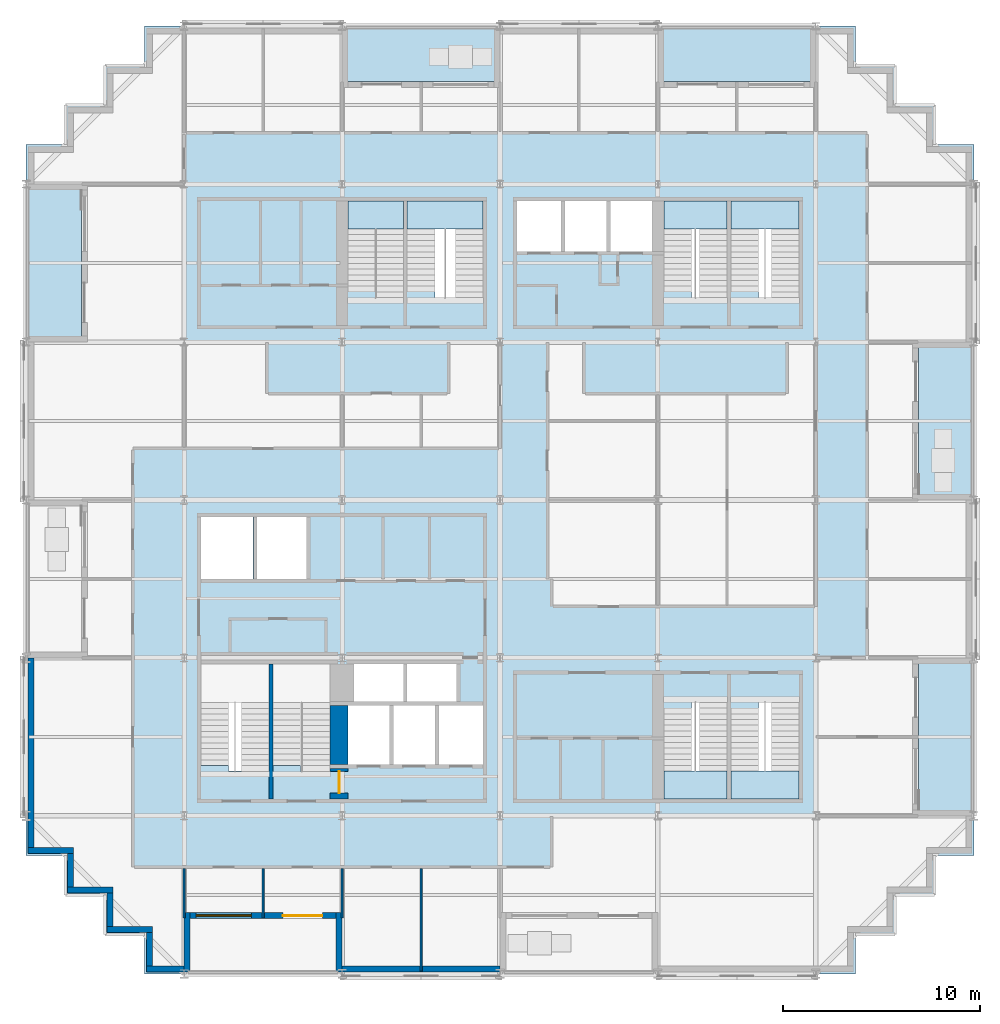
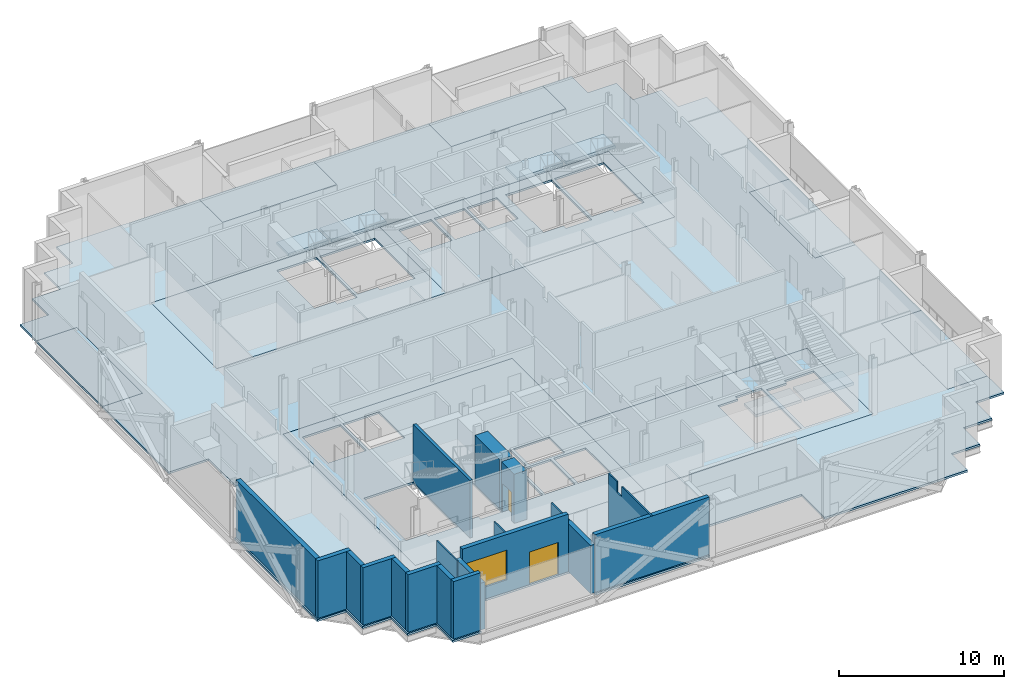
# One storey, part 5 of 15: 19 walls, 16 slabs, 2 doors, 1 window, 3 openings, 6 elements without a shape of their own.
"""IFC4 building model written with IfcOpenShell, lengths in metres."""

import ifcopenshell
import ifcopenshell.guid

model = None  # the IFC model being written
_history = None  # IfcOwnerHistory: only IFC2X3 demands one
_inside = {}  # id of a spatial element -> (the spatial element, [elements in it])
_under = {}  # id of a project, library or spatial element -> (it, [spatial elements below it])
_declared = {}  # id of a project -> (the project, [libraries it declares])
_typed = {}  # id of a type object -> (the type object, [elements of that type])
_made_of = {}  # id of a material, layer set ... -> (it, [elements and type objects made of it])


def new_model(schema):
    """Start an empty IFC model of exactly this schema.

    Asked for "IFC4X3", IfcOpenShell would pick the latest addendum, in which some entities
    have other attributes; the version numbers below select the first issue.
    IFC2X3 requires an IfcOwnerHistory on every rooted entity: one is made here for all.
    """
    global model, _history
    if schema == "IFC4X3":
        model = ifcopenshell.file(schema_version=(4, 3, 0, 0))
    else:
        model = ifcopenshell.file(schema=schema)
    _inside.clear()
    _under.clear()
    _declared.clear()
    _typed.clear()
    _made_of.clear()
    _history = None
    if model.schema == "IFC2X3":
        org = make("IfcOrganization", Name="unknown")
        user = make(
            "IfcPersonAndOrganization",
            ThePerson=make("IfcPerson", FamilyName="unknown"),
            TheOrganization=org,
        )
        app = make(
            "IfcApplication",
            ApplicationDeveloper=org,
            Version="unknown",
            ApplicationFullName="unknown",
            ApplicationIdentifier="unknown",
        )
        _history = make(
            "IfcOwnerHistory",
            OwningUser=user,
            OwningApplication=app,
            ChangeAction="ADDED",
            CreationDate=0,
        )
    return model


def make(cls, **values):
    """One entity of the class cls with the attributes given. An attribute that is None is left unset."""
    return model.create_entity(
        cls, **{name: value for name, value in values.items() if value is not None}
    )


def rooted(cls, **values):
    """An entity with a GlobalId (a new one), such as an element, a storey or a relation."""
    return make(cls, GlobalId=ifcopenshell.guid.new(), OwnerHistory=_history, **values)


def si_unit(unit_type, name, prefix=None):
    """IfcSIUnit, for example si_unit("LENGTHUNIT", "METRE", prefix="MILLI")."""
    return make("IfcSIUnit", UnitType=unit_type, Prefix=prefix, Name=name)


def assignment(units):
    """IfcUnitAssignment: the units of a project."""
    return None if units is None else make("IfcUnitAssignment", Units=units)


def point(xyz):
    """IfcCartesianPoint."""
    return None if xyz is None else make("IfcCartesianPoint", Coordinates=xyz)


def direction(xyz):
    """IfcDirection."""
    return None if xyz is None else make("IfcDirection", DirectionRatios=xyz)


def frame(location, z_axis=None, x_axis=None):
    """IfcAxis2Placement3D, a coordinate frame: its origin and axes. An axis left out is left unset."""
    return make(
        "IfcAxis2Placement3D",
        Location=point(location),
        Axis=direction(z_axis),
        RefDirection=direction(x_axis),
    )


def frame_2d(location, x_axis=None):
    """IfcAxis2Placement2D, a coordinate frame in the plane: its origin and x axis."""
    return make(
        "IfcAxis2Placement2D", Location=point(location), RefDirection=direction(x_axis)
    )


def origin():
    """The frame at (0, 0, 0) with its axes left unset."""
    return frame((0.0, 0.0, 0.0))


def place(relative_to, where):
    """IfcLocalPlacement: puts the frame where relative to a parent placement (None: the world)."""
    return make(
        "IfcLocalPlacement", PlacementRelTo=relative_to, RelativePlacement=where
    )


def context(
    kind, dimensions, precision=None, world=None, true_north=None, identifier=None
):
    """IfcGeometricRepresentationContext, for example the 3D "Model" context."""
    return make(
        "IfcGeometricRepresentationContext",
        ContextIdentifier=identifier,
        ContextType=kind,
        CoordinateSpaceDimension=dimensions,
        Precision=precision,
        WorldCoordinateSystem=world,
        TrueNorth=true_north,
    )


def subcontext(parent, identifier, kind, view, scale=None):
    """IfcGeometricRepresentationSubContext, for example "Body" below "Model"."""
    return make(
        "IfcGeometricRepresentationSubContext",
        ContextIdentifier=identifier,
        ContextType=kind,
        ParentContext=parent,
        TargetScale=scale,
        TargetView=view,
    )


def project(units=None, contexts=None):
    """IfcProject with its units and contexts."""
    return rooted(
        "IfcProject",
        Name="project",
        RepresentationContexts=contexts,
        UnitsInContext=assignment(units),
    )


def spatial(cls, under=None, at=None, **own):
    """A site, building, storey or space (cls), placed at a placement, below another one or the project."""
    s = rooted(cls, ObjectPlacement=at, **own)
    if under is not None:
        _under.setdefault(under.id(), (under, []))[1].append(s)
    return s


def polyline(points):
    """IfcPolyline through the points."""
    return make("IfcPolyline", Points=[point(p) for p in points])


def profile(cls, at=None, kind="AREA", **sizes):
    """A parametric profile (cls). Its sizes go by their IFC names, for example OverallWidth=200.0."""
    return make(cls, ProfileType=kind, Position=at, **sizes)


def rectangle(**sizes):
    """IfcRectangleProfileDef."""
    return profile("IfcRectangleProfileDef", **sizes)


def outline(outer, holes=None, kind="AREA"):
    """IfcArbitraryClosedProfileDef: a profile drawn as a closed curve; with holes, ...WithVoids."""
    if holes is None:
        return make("IfcArbitraryClosedProfileDef", ProfileType=kind, OuterCurve=outer)
    return make(
        "IfcArbitraryProfileDefWithVoids",
        ProfileType=kind,
        OuterCurve=outer,
        InnerCurves=holes,
    )


def extrude(swept, where, along, depth):
    """IfcExtrudedAreaSolid: the profile swept, set in the frame where, extruded along a direction by depth."""
    return make(
        "IfcExtrudedAreaSolid",
        SweptArea=swept,
        Position=where,
        ExtrudedDirection=direction(along),
        Depth=depth,
    )


def shape(context_of_items, identifier, shape_type, items):
    """IfcShapeRepresentation: the items that make up one representation, for example the "Body"."""
    return make(
        "IfcShapeRepresentation",
        ContextOfItems=context_of_items,
        RepresentationIdentifier=identifier,
        RepresentationType=shape_type,
        Items=items,
    )


def material(Name=None, Category=None):
    """IfcMaterial."""
    return make("IfcMaterial", Name=Name, Category=Category)


def layer(
    of_material, thickness, ventilated=None, Name=None, Category=None, Priority=None
):
    """IfcMaterialLayer: one layer of a wall or slab, of a material (None: an air gap)."""
    return make(
        "IfcMaterialLayer",
        Material=of_material,
        LayerThickness=thickness,
        IsVentilated=ventilated,
        Name=Name,
        Category=Category,
        Priority=Priority,
    )


def layer_set(layers, Name=None):
    """IfcMaterialLayerSet."""
    return make("IfcMaterialLayerSet", MaterialLayers=layers, LayerSetName=Name)


def made_of(thing, what):
    """Note that an element or type object is made of a material, layer set ...; save() writes the relation."""
    if what is not None:
        _made_of.setdefault(what.id(), (what, []))[1].append(thing)
    return thing


def type_object(cls, material=None, **own):
    """A type object (cls), such as IfcWallType, which elements share."""
    return made_of(rooted(cls, **own), material)


def element(
    cls,
    number,
    at=None,
    inside=None,
    cuts=None,
    type_object=None,
    material=None,
    context=None,
    identifier="Body",
    shape_type=None,
    held_by="IfcProductDefinitionShape",
    body=None,
    shapes=None,
    **own,
):
    """One element of the class cls, such as IfcWall. Its Tag is "e" and its number.

    at: its placement. inside: the storey or other place that contains it. cuts: it is an
    opening in that element (IfcRelVoidsElement). A single representation is given by context,
    identifier, shape_type and body (its items); several are given by shapes. held_by: the class
    of the entity that holds the representations. save() writes the other relations.
    """
    e = rooted(cls, Tag="e%d" % number, ObjectPlacement=at, **own)
    if body is not None:
        shapes = [shape(context, identifier, shape_type, body)]
    if shapes is not None:
        e.Representation = make(held_by, Representations=shapes)
    if inside is not None:
        _inside.setdefault(inside.id(), (inside, []))[1].append(e)
    if cuts is not None:
        rooted(
            "IfcRelVoidsElement", RelatingBuildingElement=cuts, RelatedOpeningElement=e
        )
    if type_object is not None:
        _typed.setdefault(type_object.id(), (type_object, []))[1].append(e)
    return made_of(e, material)


def fill(opening, filler):
    """IfcRelFillsElement: the door or window that sits in an opening."""
    return rooted(
        "IfcRelFillsElement",
        RelatingOpeningElement=opening,
        RelatedBuildingElement=filler,
    )


def aggregate(whole, parts):
    """IfcRelAggregates: a whole, such as a stair, and the parts it consists of."""
    return rooted("IfcRelAggregates", RelatingObject=whole, RelatedObjects=parts)


def save(model, path):
    """Write the relations noted so far, then the file.

    IfcRelAggregates (storeys below a building ...), IfcRelContainedInSpatialStructure (elements
    in a storey), IfcRelDefinesByType, IfcRelAssociatesMaterial and IfcRelDeclares: one each for
    every whole, place, type object, material and project.
    """
    for whole, parts in _under.values():
        aggregate(whole, parts)
    for where, things in _inside.values():
        rooted(
            "IfcRelContainedInSpatialStructure",
            RelatedElements=things,
            RelatingStructure=where,
        )
    for kind, things in _typed.values():
        rooted("IfcRelDefinesByType", RelatedObjects=things, RelatingType=kind)
    for what, things in _made_of.values():
        rooted("IfcRelAssociatesMaterial", RelatedObjects=things, RelatingMaterial=what)
    for by, libraries in _declared.values():
        rooted("IfcRelDeclares", RelatingContext=by, RelatedDefinitions=libraries)
    model.write(path)


model = new_model("IFC4")

# Units and contexts
model_context = context("Model", 3, precision=1e-05, world=origin(), true_north=direction((0.0, 1.0)))
body_context = subcontext(model_context, "Body", "Model", "MODEL_VIEW")
ifc_project = project(units=[si_unit("LENGTHUNIT", "METRE"), si_unit("AREAUNIT", "SQUARE_METRE"), si_unit("VOLUMEUNIT", "CUBIC_METRE"), si_unit("PLANEANGLEUNIT", "RADIAN"), si_unit("MASSUNIT", "GRAM", prefix="KILO")], contexts=[model_context])

# Site, building, storey
site_placement = place(None, origin())
site = spatial("IfcSite", under=ifc_project, at=site_placement, CompositionType="ELEMENT")
building_placement = place(site_placement, origin())
building = spatial("IfcBuilding", under=site, at=building_placement, Name="Immortelle Media Tower", CompositionType="ELEMENT")
storey_placement = place(building_placement, frame((0.0, 0.0, 105.199951171875)))
storey = spatial("IfcBuildingStorey", under=building, at=storey_placement, Name="L20", CompositionType="ELEMENT", Elevation=105.199951171875)

# Slabs
ifc_material_1 = material(Name="Concrete C50/60 composite deck", Category="concrete")
ifc_layer_1 = layer(ifc_material_1, 0.14990234375)
ifc_layer_set_1 = layer_set([ifc_layer_1], Name="Concrete C50/60 composite deck")
slab_type_1 = type_object("IfcSlabType", Name="Balcony slab 150", PredefinedType="FLOOR", material=ifc_layer_set_1)
slab_1_placement = place(storey_placement, frame((0.0, 0.0, -0.14990234375)))
element("IfcSlab", 1, at=slab_1_placement, inside=storey, type_object=slab_type_1, Name="Balcony slab L20 W0", PredefinedType="FLOOR", context=body_context, shape_type="SweptSolid", body=[
    extrude(outline(polyline([(2.800048828125, 32.0), (2.800048828125, 40.0), (0.0, 40.0), (0.0, 32.0), (2.800048828125, 32.0)])), origin(), (0.0, 0.0, 1.0), 0.14990234375),
])
slab_2_placement = place(storey_placement, frame((0.0, 0.0, -0.14990234375)))
element("IfcSlab", 2, at=slab_2_placement, inside=storey, type_object=slab_type_1, Name="Balcony slab L20 E0", PredefinedType="FLOOR", context=body_context, shape_type="SweptSolid", body=[
    extrude(outline(polyline([(48.0, 8.0), (48.0, 16.0), (45.199951171875, 16.0), (45.199951171875, 8.0), (48.0, 8.0)])), origin(), (0.0, 0.0, 1.0), 0.14990234375),
])
slab_3_placement = place(storey_placement, frame((0.0, 0.0, -0.14990234375)))
element("IfcSlab", 3, at=slab_3_placement, inside=storey, type_object=slab_type_1, Name="Balcony slab L20 E2", PredefinedType="FLOOR", context=body_context, shape_type="SweptSolid", body=[
    extrude(outline(polyline([(48.0, 24.0), (48.0, 32.0), (45.199951171875, 32.0), (45.199951171875, 24.0), (48.0, 24.0)])), origin(), (0.0, 0.0, 1.0), 0.14990234375),
])
slab_4_placement = place(storey_placement, frame((0.0, 0.0, -0.14990234375)))
element("IfcSlab", 4, at=slab_4_placement, inside=storey, type_object=slab_type_1, Name="Balcony slab L20 N0", PredefinedType="FLOOR", context=body_context, shape_type="SweptSolid", body=[
    extrude(outline(polyline([(40.0, 45.199951171875), (40.0, 48.0), (32.0, 48.0), (32.0, 45.199951171875), (40.0, 45.199951171875)])), origin(), (0.0, 0.0, 1.0), 0.14990234375),
])
slab_5_placement = place(storey_placement, frame((0.0, 0.0, -0.14990234375)))
element("IfcSlab", 5, at=slab_5_placement, inside=storey, type_object=slab_type_1, Name="Balcony slab L20 N2", PredefinedType="FLOOR", context=body_context, shape_type="SweptSolid", body=[
    extrude(outline(polyline([(24.0, 45.199951171875), (24.0, 48.0), (16.0, 48.0), (16.0, 45.199951171875), (24.0, 45.199951171875)])), origin(), (0.0, 0.0, 1.0), 0.14990234375),
])
ifc_material_2 = material(Name="Concrete C50/60", Category="concrete")
ifc_layer_2 = layer(ifc_material_2, 0.14990234375)
ifc_layer_set_2 = layer_set([ifc_layer_2], Name="Concrete C50/60")
slab_type_2 = type_object("IfcSlabType", Name="Composite floor slab 150", PredefinedType="FLOOR", material=ifc_layer_set_2)
slab_6_placement = place(storey_placement, frame((0.0, 0.0, -0.14990234375)))
element("IfcSlab", 6, at=slab_6_placement, inside=storey, type_object=slab_type_2, Name="Floor slab L20", PredefinedType="FLOOR", context=body_context, shape_type="SweptSolid", body=[
    extrude(outline(polyline([(6.0, 0.0), (6.0, 2.0), (4.0, 2.0), (4.0, 4.0), (2.0, 4.0), (2.0, 6.0), (0.0, 6.0), (0.0, 16.0), (2.800048828125, 16.0), (2.800048828125, 24.0), (0.0, 24.0), (0.0, 32.0), (2.800048828125, 32.0), (2.800048828125, 40.0), (0.0, 40.0), (0.0, 42.0), (2.0, 42.0), (2.0, 44.0), (4.0, 44.0), (4.0, 46.0), (6.0, 46.0), (6.0, 48.0), (16.0, 48.0), (16.0, 45.199951171875), (24.0, 45.199951171875), (24.0, 48.0), (32.0, 48.0), (32.0, 45.199951171875), (40.0, 45.199951171875), (40.0, 48.0), (42.0, 48.0), (42.0, 46.0), (44.0, 46.0), (44.0, 44.0), (46.0, 44.0), (46.0, 42.0), (48.0, 42.0), (48.0, 32.0), (45.199951171875, 32.0), (45.199951171875, 24.0), (48.0, 24.0), (48.0, 16.0), (45.199951171875, 16.0), (45.199951171875, 8.0), (48.0, 8.0), (48.0, 6.0), (46.0, 6.0), (46.0, 4.0), (44.0, 4.0), (44.0, 2.0), (42.0, 2.0), (42.0, 0.0), (32.0, 0.0), (32.0, 2.800048828125), (24.0, 2.800048828125), (24.0, 0.0), (16.0, 0.0), (16.0, 2.800048828125), (8.0, 2.800048828125), (8.0, 0.0), (6.0, 0.0)]), holes=[polyline([(24.0, 24.0), (8.0, 24.0), (8.0, 8.0), (24.0, 8.0), (40.0, 8.0), (40.0, 16.0), (24.0, 16.0), (24.0, 24.0)]), polyline([(24.0, 32.0), (40.0, 32.0), (40.0, 40.0), (24.0, 40.0), (8.0, 40.0), (8.0, 32.0), (24.0, 32.0)])]), origin(), (0.0, 0.0, 1.0), 0.14990234375),
])
ifc_layer_3 = layer(ifc_material_2, 0.14990234375)
ifc_layer_set_3 = layer_set([ifc_layer_3], Name="Concrete C50/60")
slab_type_3 = type_object("IfcSlabType", Name="Core floor slab 150", PredefinedType="FLOOR", material=ifc_layer_set_3)
slab_7_placement = place(storey_placement, frame((0.0, 0.0, -0.14990234375)))
element("IfcSlab", 7, at=slab_7_placement, inside=storey, type_object=slab_type_3, Name="Core floor SW", PredefinedType="FLOOR", context=body_context, shape_type="SweptSolid", body=[
    extrude(outline(polyline([(8.0, 8.0), (24.0, 8.0), (24.0, 24.0), (8.0, 24.0), (8.0, 8.0)]), holes=[polyline([(8.85009765625, 20.0), (11.5, 20.0), (11.5, 23.14990234375), (8.85009765625, 23.14990234375), (8.85009765625, 20.0)]), polyline([(11.699951171875, 20.0), (14.199951171875, 20.0), (14.199951171875, 23.14990234375), (11.699951171875, 23.14990234375), (11.699951171875, 20.0)]), polyline([(16.60009765625, 13.800048828125), (19.10009765625, 13.800048828125), (19.10009765625, 15.699951171875), (16.60009765625, 15.699951171875), (16.60009765625, 13.800048828125)]), polyline([(19.300048828125, 13.800048828125), (21.800048828125, 13.800048828125), (21.800048828125, 15.699951171875), (19.300048828125, 15.699951171875), (19.300048828125, 13.800048828125)]), polyline([(16.300048828125, 10.60009765625), (18.39990234375, 10.60009765625), (18.39990234375, 13.60009765625), (16.300048828125, 13.60009765625), (16.300048828125, 10.60009765625)]), polyline([(18.60009765625, 10.60009765625), (20.699951171875, 10.60009765625), (20.699951171875, 13.60009765625), (18.60009765625, 13.60009765625), (18.60009765625, 10.60009765625)]), polyline([(20.89990234375, 10.60009765625), (23.14990234375, 10.60009765625), (23.14990234375, 13.60009765625), (20.89990234375, 13.60009765625), (20.89990234375, 10.60009765625)]), polyline([(8.85009765625, 15.699951171875), (12.300048828125, 15.699951171875), (12.300048828125, 10.27001953125), (10.25, 10.27001953125), (10.25, 10.56005859375), (8.85009765625, 10.56005859375), (8.85009765625, 15.699951171875)]), polyline([(12.5, 15.699951171875), (15.39990234375, 15.699951171875), (15.39990234375, 10.27001953125), (13.89990234375, 10.27001953125), (13.89990234375, 10.56005859375), (12.5, 10.56005859375), (12.5, 15.699951171875)])]), origin(), (0.0, 0.0, 1.0), 0.14990234375),
])
slab_8_placement = place(storey_placement, frame((0.0, 0.0, -0.14990234375)))
element("IfcSlab", 8, at=slab_8_placement, inside=storey, type_object=slab_type_3, Name="Core floor SE", PredefinedType="FLOOR", context=body_context, shape_type="SweptSolid", body=[
    extrude(outline(polyline([(24.0, 8.0), (40.0, 8.0), (40.0, 16.0), (24.0, 16.0), (24.0, 8.0)]), holes=[polyline([(35.5, 13.72998046875), (35.5, 8.85009765625), (32.300048828125, 8.85009765625), (32.300048828125, 13.43994140625), (33.699951171875, 13.43994140625), (33.699951171875, 13.72998046875), (35.5, 13.72998046875)]), polyline([(39.14990234375, 13.72998046875), (39.14990234375, 8.85009765625), (35.699951171875, 8.85009765625), (35.699951171875, 13.43994140625), (37.10009765625, 13.43994140625), (37.10009765625, 13.72998046875), (39.14990234375, 13.72998046875)])]), origin(), (0.0, 0.0, 1.0), 0.14990234375),
])
slab_9_placement = place(storey_placement, frame((0.0, 0.0, -0.14990234375)))
element("IfcSlab", 9, at=slab_9_placement, inside=storey, type_object=slab_type_3, Name="Core floor NW", PredefinedType="FLOOR", context=body_context, shape_type="SweptSolid", body=[
    extrude(outline(polyline([(8.0, 32.0), (24.0, 32.0), (24.0, 40.0), (8.0, 40.0), (8.0, 32.0)]), holes=[polyline([(16.300048828125, 39.14990234375), (19.10009765625, 39.14990234375), (19.10009765625, 34.27001953125), (17.699951171875, 34.27001953125), (17.699951171875, 34.56005859375), (16.300048828125, 34.56005859375), (16.300048828125, 39.14990234375)]), polyline([(19.300048828125, 39.14990234375), (23.14990234375, 39.14990234375), (23.14990234375, 34.27001953125), (20.699951171875, 34.27001953125), (20.699951171875, 34.56005859375), (19.300048828125, 34.56005859375), (19.300048828125, 39.14990234375)])]), origin(), (0.0, 0.0, 1.0), 0.14990234375),
])
slab_10_placement = place(storey_placement, frame((0.0, 0.0, -0.14990234375)))
element("IfcSlab", 10, at=slab_10_placement, inside=storey, type_object=slab_type_3, Name="Core floor NE", PredefinedType="FLOOR", context=body_context, shape_type="SweptSolid", body=[
    extrude(outline(polyline([(24.0, 32.0), (40.0, 32.0), (40.0, 40.0), (24.0, 40.0), (24.0, 32.0)]), holes=[polyline([(24.85009765625, 36.60009765625), (27.10009765625, 36.60009765625), (27.10009765625, 39.14990234375), (24.85009765625, 39.14990234375), (24.85009765625, 36.60009765625)]), polyline([(27.300048828125, 36.60009765625), (29.39990234375, 36.60009765625), (29.39990234375, 39.14990234375), (27.300048828125, 39.14990234375), (27.300048828125, 36.60009765625)]), polyline([(29.60009765625, 36.60009765625), (31.699951171875, 36.60009765625), (31.699951171875, 39.14990234375), (29.60009765625, 39.14990234375), (29.60009765625, 36.60009765625)]), polyline([(32.300048828125, 39.14990234375), (35.5, 39.14990234375), (35.5, 34.27001953125), (33.699951171875, 34.27001953125), (33.699951171875, 34.56005859375), (32.300048828125, 34.56005859375), (32.300048828125, 39.14990234375)]), polyline([(35.699951171875, 39.14990234375), (39.14990234375, 39.14990234375), (39.14990234375, 34.27001953125), (37.10009765625, 34.27001953125), (37.10009765625, 34.56005859375), (35.699951171875, 34.56005859375), (35.699951171875, 39.14990234375)])]), origin(), (0.0, 0.0, 1.0), 0.14990234375),
])

# Stair, slab
ifc_material_3 = material(Name="Steel ASTM A992 Gr 50", Category="steel")
stair_type = type_object("IfcStairType", Name="Stair with flights", PredefinedType="DOUBLE_RETURN_STAIR", material=ifc_material_3)
stair_1_placement = place(storey_placement, origin())
stair_1 = element("IfcStair", 11, at=stair_1_placement, inside=storey, type_object=stair_type, Name="Exit stair SE1", PredefinedType="DOUBLE_RETURN_STAIR")
ifc_material_4 = material(Name="Steel ASTM A572 Gr 50", Category="steel")
ifc_layer_4 = layer(ifc_material_4, 0.199951171875)
ifc_layer_set_4 = layer_set([ifc_layer_4], Name="Steel ASTM A572 Gr 50")
slab_type_4 = type_object("IfcSlabType", Name="Stair landing 200", PredefinedType="LANDING", material=ifc_layer_set_4)
slab_11_placement = place(storey_placement, frame((0.0, 0.0, 1.912109375)))
slab_11 = element("IfcSlab", 12, at=slab_11_placement, type_object=slab_type_4, Name="ST SE1 landing 1", PredefinedType="LANDING", context=body_context, shape_type="SweptSolid", body=[
    extrude(outline(polyline([(32.300048828125, 8.85009765625), (35.5, 8.85009765625), (35.5, 10.27001953125), (32.300048828125, 10.27001953125), (32.300048828125, 8.85009765625)])), origin(), (0.0, 0.0, 1.0), 0.199951171875),
])
aggregate(stair_1, [slab_11])

stair_2_placement = place(storey_placement, origin())
stair_2 = element("IfcStair", 13, at=stair_2_placement, inside=storey, type_object=stair_type, Name="Exit stair SE2", PredefinedType="DOUBLE_RETURN_STAIR")
slab_12_placement = place(storey_placement, frame((0.0, 0.0, 1.912109375)))
slab_12 = element("IfcSlab", 14, at=slab_12_placement, type_object=slab_type_4, Name="ST SE2 landing 1", PredefinedType="LANDING", context=body_context, shape_type="SweptSolid", body=[
    extrude(outline(polyline([(35.699951171875, 8.85009765625), (39.14990234375, 8.85009765625), (39.14990234375, 10.27001953125), (35.699951171875, 10.27001953125), (35.699951171875, 8.85009765625)])), origin(), (0.0, 0.0, 1.0), 0.199951171875),
])
aggregate(stair_2, [slab_12])

stair_3_placement = place(storey_placement, origin())
stair_3 = element("IfcStair", 15, at=stair_3_placement, inside=storey, type_object=stair_type, Name="Exit stair NW1", PredefinedType="DOUBLE_RETURN_STAIR")
slab_13_placement = place(storey_placement, frame((0.0, 0.0, 1.912109375)))
slab_13 = element("IfcSlab", 16, at=slab_13_placement, type_object=slab_type_4, Name="ST NW1 landing 1", PredefinedType="LANDING", context=body_context, shape_type="SweptSolid", body=[
    extrude(outline(polyline([(16.300048828125, 37.72998046875), (19.10009765625, 37.72998046875), (19.10009765625, 39.14990234375), (16.300048828125, 39.14990234375), (16.300048828125, 37.72998046875)])), origin(), (0.0, 0.0, 1.0), 0.199951171875),
])
aggregate(stair_3, [slab_13])

stair_4_placement = place(storey_placement, origin())
stair_4 = element("IfcStair", 17, at=stair_4_placement, inside=storey, type_object=stair_type, Name="Exit stair NW2", PredefinedType="DOUBLE_RETURN_STAIR")
slab_14_placement = place(storey_placement, frame((0.0, 0.0, 1.912109375)))
slab_14 = element("IfcSlab", 18, at=slab_14_placement, type_object=slab_type_4, Name="ST NW2 landing 1", PredefinedType="LANDING", context=body_context, shape_type="SweptSolid", body=[
    extrude(outline(polyline([(19.300048828125, 37.72998046875), (23.14990234375, 37.72998046875), (23.14990234375, 39.14990234375), (19.300048828125, 39.14990234375), (19.300048828125, 37.72998046875)])), origin(), (0.0, 0.0, 1.0), 0.199951171875),
])
aggregate(stair_4, [slab_14])

stair_5_placement = place(storey_placement, origin())
stair_5 = element("IfcStair", 19, at=stair_5_placement, inside=storey, type_object=stair_type, Name="Exit stair NE1", PredefinedType="DOUBLE_RETURN_STAIR")
slab_15_placement = place(storey_placement, frame((0.0, 0.0, 1.912109375)))
slab_15 = element("IfcSlab", 20, at=slab_15_placement, type_object=slab_type_4, Name="ST NE1 landing 1", PredefinedType="LANDING", context=body_context, shape_type="SweptSolid", body=[
    extrude(outline(polyline([(32.300048828125, 37.72998046875), (35.5, 37.72998046875), (35.5, 39.14990234375), (32.300048828125, 39.14990234375), (32.300048828125, 37.72998046875)])), origin(), (0.0, 0.0, 1.0), 0.199951171875),
])
aggregate(stair_5, [slab_15])

stair_6_placement = place(storey_placement, origin())
stair_6 = element("IfcStair", 21, at=stair_6_placement, inside=storey, type_object=stair_type, Name="Exit stair NE2", PredefinedType="DOUBLE_RETURN_STAIR")
slab_16_placement = place(storey_placement, frame((0.0, 0.0, 1.912109375)))
slab_16 = element("IfcSlab", 22, at=slab_16_placement, type_object=slab_type_4, Name="ST NE2 landing 1", PredefinedType="LANDING", context=body_context, shape_type="SweptSolid", body=[
    extrude(outline(polyline([(35.699951171875, 37.72998046875), (39.14990234375, 37.72998046875), (39.14990234375, 39.14990234375), (35.699951171875, 39.14990234375), (35.699951171875, 37.72998046875)])), origin(), (0.0, 0.0, 1.0), 0.199951171875),
])
aggregate(stair_6, [slab_16])

# Walls
ifc_material_5 = material(Name="Pale aluminium cladding panel", Category="aluminium")
ifc_layer_5 = layer(ifc_material_5, 0.030029296875)
ifc_material_6 = material(Name="Steel ASTM A653 SS Gr 50 stud frame with mineral wool", Category="steel")
ifc_layer_6 = layer(ifc_material_6, 0.257568359375)
ifc_material_7 = material(Name="Moisture-resistant gypsum board", Category="gypsum")
ifc_layer_7 = layer(ifc_material_7, 0.012451171875)
ifc_layer_set_5 = layer_set([ifc_layer_5, ifc_layer_6, ifc_layer_7], Name="Steel ASTM A653 SS Gr 50 stud frame with mineral wool")
wall_type_1 = type_object("IfcWallType", Name="Facade wall 300", PredefinedType="SOLIDWALL", material=ifc_layer_set_5)
wall_1_placement = place(storey_placement, frame((0.25, 16.0, 0.0), z_axis=(0.0, 0.0, 1.0), x_axis=(0.0, -1.0, 0.0)))
element("IfcWall", 23, at=wall_1_placement, inside=storey, type_object=wall_type_1, Name="Facade wall L20 W0", PredefinedType="SOLIDWALL", context=body_context, shape_type="SweptSolid", body=[
    extrude(rectangle(XDim=9.60009765625, YDim=0.300048828125, at=frame_2d((4.800048828125, 0.0))), origin(), (0.0, 0.0, 1.0), 4.25),
])
wall_2_placement = place(storey_placement, frame((0.10009765625, 6.25, 0.0), z_axis=(0.0, 0.0, 1.0), x_axis=(1.0, 0.0, 0.0)))
element("IfcWall", 24, at=wall_2_placement, inside=storey, type_object=wall_type_1, Name="Facade wall L20 S1", PredefinedType="SOLIDWALL", context=body_context, shape_type="SweptSolid", body=[
    extrude(rectangle(XDim=2.2998046875, YDim=0.300048828125, at=frame_2d((1.14990234375, 0.0))), origin(), (0.0, 0.0, 1.0), 4.25),
])
wall_3_placement = place(storey_placement, frame((2.25, 6.10009765625, 0.0), z_axis=(0.0, 0.0, 1.0), x_axis=(0.0, -1.0, 0.0)))
element("IfcWall", 25, at=wall_3_placement, inside=storey, type_object=wall_type_1, Name="Facade wall L20 W2", PredefinedType="SOLIDWALL", context=body_context, shape_type="SweptSolid", body=[
    extrude(rectangle(XDim=1.7001953125, YDim=0.300048828125, at=frame_2d((0.85009765625, 0.0))), origin(), (0.0, 0.0, 1.0), 4.25),
])
wall_4_placement = place(storey_placement, frame((2.10009765625, 4.25, 0.0), z_axis=(0.0, 0.0, 1.0), x_axis=(1.0, 0.0, 0.0)))
element("IfcWall", 26, at=wall_4_placement, inside=storey, type_object=wall_type_1, Name="Facade wall L20 S3", PredefinedType="SOLIDWALL", context=body_context, shape_type="SweptSolid", body=[
    extrude(rectangle(XDim=2.2998046875, YDim=0.300048828125, at=frame_2d((1.14990234375, 0.0))), origin(), (0.0, 0.0, 1.0), 4.25),
])
wall_5_placement = place(storey_placement, frame((4.25, 4.10009765625, 0.0), z_axis=(0.0, 0.0, 1.0), x_axis=(0.0, -1.0, 0.0)))
element("IfcWall", 27, at=wall_5_placement, inside=storey, type_object=wall_type_1, Name="Facade wall L20 W4", PredefinedType="SOLIDWALL", context=body_context, shape_type="SweptSolid", body=[
    extrude(rectangle(XDim=1.7001953125, YDim=0.300048828125, at=frame_2d((0.85009765625, 0.0))), origin(), (0.0, 0.0, 1.0), 4.25),
])
wall_6_placement = place(storey_placement, frame((4.10009765625, 2.25, 0.0), z_axis=(0.0, 0.0, 1.0), x_axis=(1.0, 0.0, 0.0)))
element("IfcWall", 28, at=wall_6_placement, inside=storey, type_object=wall_type_1, Name="Facade wall L20 S5", PredefinedType="SOLIDWALL", context=body_context, shape_type="SweptSolid", body=[
    extrude(rectangle(XDim=2.2998046875, YDim=0.300048828125, at=frame_2d((1.14990234375, 0.0))), origin(), (0.0, 0.0, 1.0), 4.25),
])
wall_7_placement = place(storey_placement, frame((6.25, 2.10009765625, 0.0), z_axis=(0.0, 0.0, 1.0), x_axis=(0.0, -1.0, 0.0)))
element("IfcWall", 29, at=wall_7_placement, inside=storey, type_object=wall_type_1, Name="Facade wall L20 W6", PredefinedType="SOLIDWALL", context=body_context, shape_type="SweptSolid", body=[
    extrude(rectangle(XDim=1.7001953125, YDim=0.300048828125, at=frame_2d((0.85009765625, 0.0))), origin(), (0.0, 0.0, 1.0), 4.25),
])
wall_8_placement = place(storey_placement, frame((6.10009765625, 0.25, 0.0), z_axis=(0.0, 0.0, 1.0), x_axis=(1.0, 0.0, 0.0)))
element("IfcWall", 30, at=wall_8_placement, inside=storey, type_object=wall_type_1, Name="Facade wall L20 S7", PredefinedType="SOLIDWALL", context=body_context, shape_type="SweptSolid", body=[
    extrude(rectangle(XDim=1.89990234375, YDim=0.300048828125, at=frame_2d((0.949951171875, 0.0))), origin(), (0.0, 0.0, 1.0), 4.25),
])

# Wall, openings, door, window
wall_9_placement = place(storey_placement, frame((8.300048828125, 2.949951171875, 0.0), z_axis=(0.0, 0.0, 1.0), x_axis=(1.0, 0.0, 0.0)))
wall_9 = element("IfcWall", 31, at=wall_9_placement, inside=storey, type_object=wall_type_1, Name="Loggia wall L20 S7", PredefinedType="SOLIDWALL", context=body_context, shape_type="SweptSolid", body=[
    extrude(rectangle(XDim=7.39990234375, YDim=0.300048828125, at=frame_2d((3.699951171875, 0.0))), origin(), (0.0, 0.0, 1.0), 4.25),
])
opening_1_placement = place(wall_9_placement, frame((0.300048828125, 0.0, 0.89990234375)))
opening_1 = element("IfcOpeningElement", 32, at=opening_1_placement, cuts=wall_9, Name="Opening W1", PredefinedType="OPENING", context=body_context, shape_type="SweptSolid", body=[
    extrude(rectangle(XDim=2.800048828125, YDim=2.199951171875, at=frame_2d((1.39990234375, 1.10009765625))), frame((0.0, 0.159912109375, 0.0), z_axis=(0.0, -1.0, 0.0), x_axis=(1.0, 0.0, 0.0)), (0.0, 0.0, 1.0), 0.320068359375),
])
opening_2_placement = place(wall_9_placement, frame((4.699951171875, 0.0, 0.0)))
opening_2 = element("IfcOpeningElement", 33, at=opening_2_placement, cuts=wall_9, Name="Opening N7-E003", PredefinedType="OPENING", context=body_context, shape_type="SweptSolid", body=[
    extrude(rectangle(XDim=2.0, YDim=2.39990234375, at=frame_2d((1.0, 1.199951171875))), frame((0.0, 0.159912109375, 0.0), z_axis=(0.0, -1.0, 0.0), x_axis=(1.0, 0.0, 0.0)), (0.0, 0.0, 1.0), 0.320068359375),
])
ifc_material_8 = material(Name="Aluminium frame, glazed leaves", Category="aluminium")
door_type_1 = type_object("IfcDoorType", Name="Loggia door 2000 x 2400", OperationType="DOUBLE_DOOR_SINGLE_SWING", PredefinedType="DOOR", material=ifc_material_8)
door_1_placement = place(opening_2_placement, origin())
door_1 = element("IfcDoor", 34, at=door_1_placement, inside=storey, type_object=door_type_1, Name="Door N7-E003", OperationType="DOUBLE_DOOR_SINGLE_SWING", OverallHeight=2.39990234375, OverallWidth=2.0, PredefinedType="DOOR", context=body_context, shape_type="SweptSolid", body=[
    extrude(rectangle(XDim=2.0, YDim=2.39990234375, at=frame_2d((1.0, 1.199951171875))), frame((0.0, 0.02490234375, 0.0), z_axis=(0.0, -1.0, 0.0), x_axis=(1.0, 0.0, 0.0)), (0.0, 0.0, 1.0), 0.050048828125),
])
fill(opening_2, door_1)
ifc_material_9 = material(Name="Aluminium frame", Category="aluminium")
window_type = type_object("IfcWindowType", Name="Window 2800 x 2200", PartitioningType="SINGLE_PANEL", PredefinedType="WINDOW", material=ifc_material_9)
window_placement = place(opening_1_placement, origin())
window = element("IfcWindow", 35, at=window_placement, inside=storey, type_object=window_type, Name="Window L20 L20-R7-B0", OverallHeight=2.199951171875, OverallWidth=2.800048828125, PartitioningType="SINGLE_PANEL", PredefinedType="WINDOW", context=body_context, shape_type="SweptSolid", body=[
    extrude(rectangle(XDim=2.800048828125, YDim=2.199951171875, at=frame_2d((1.39990234375, 1.10009765625))), frame((0.0, 0.030029296875, 0.0), z_axis=(0.0, -1.0, 0.0), x_axis=(1.0, 0.0, 0.0)), (0.0, 0.0, 1.0), 0.06005859375),
])
fill(opening_1, window)

# Walls
wall_10_placement = place(storey_placement, frame((8.14990234375, 0.10009765625, 0.0), z_axis=(0.0, 0.0, 1.0), x_axis=(0.0, 1.0, 0.0)))
element("IfcWall", 36, at=wall_10_placement, inside=storey, type_object=wall_type_1, Name="Loggia cheek wall L20 S", PredefinedType="SOLIDWALL", context=body_context, shape_type="SweptSolid", body=[
    extrude(rectangle(XDim=3.0, YDim=0.300048828125, at=frame_2d((1.5, 0.0))), origin(), (0.0, 0.0, 1.0), 3.468994140625),
])
wall_11_placement = place(storey_placement, frame((15.85009765625, 0.10009765625, 0.0), z_axis=(0.0, 0.0, 1.0), x_axis=(0.0, 1.0, 0.0)))
element("IfcWall", 37, at=wall_11_placement, inside=storey, type_object=wall_type_1, Name="Loggia cheek wall L20 S", PredefinedType="SOLIDWALL", context=body_context, shape_type="SweptSolid", body=[
    extrude(rectangle(XDim=3.0, YDim=0.300048828125, at=frame_2d((1.5, 0.0))), origin(), (0.0, 0.0, 1.0), 3.55615234375),
])
wall_12_placement = place(storey_placement, frame((16.0, 0.25, 0.0), z_axis=(0.0, 0.0, 1.0), x_axis=(1.0, 0.0, 0.0)))
element("IfcWall", 38, at=wall_12_placement, inside=storey, type_object=wall_type_1, Name="Facade wall L20 S7", PredefinedType="SOLIDWALL", context=body_context, shape_type="SweptSolid", body=[
    extrude(rectangle(XDim=8.0, YDim=0.300048828125, at=frame_2d((4.0, 0.0))), origin(), (0.0, 0.0, 1.0), 4.25),
])
ifc_material_10 = material(Name="Gypsum board", Category="gypsum")
ifc_layer_8 = layer(ifc_material_10, 0.012451171875)
ifc_layer_9 = layer(ifc_material_6, 0.074951171875)
ifc_layer_10 = layer(ifc_material_10, 0.012451171875)
ifc_layer_set_6 = layer_set([ifc_layer_8, ifc_layer_9, ifc_layer_10], Name="Steel ASTM A653 SS Gr 50 stud frame with mineral wool")
wall_type_2 = type_object("IfcWallType", Name="Partition 100", PredefinedType="PARTITIONING", material=ifc_layer_set_6)
wall_13_placement = place(storey_placement, frame((20.0, 0.1298828125, 0.0), z_axis=(0.0, 0.0, 1.0), x_axis=(0.0, 1.0, 0.0)))
element("IfcWall", 39, at=wall_13_placement, inside=storey, type_object=wall_type_2, Name="Partition L20-001", PredefinedType="PARTITIONING", context=body_context, shape_type="SweptSolid", body=[
    extrude(outline(polyline([(0.0, 0.0), (5.195068359375, 0.0), (5.195068359375, 4.25), (4.169921875, 4.25), (4.16796875, 3.469970703125), (3.572021484375, 3.469970703125), (3.570068359375, 4.25), (0.0, 4.25), (0.0, 0.0)])), frame((0.0, 0.050048828125, 0.0), z_axis=(0.0, -1.0, 0.0), x_axis=(1.0, 0.0, 0.0)), (0.0, 0.0, 1.0), 0.10009765625),
])
for number, where, z_axis, x_axis, name in (
    (40, (8.0, 2.830078125, 0.0), (0.0, 0.0, 1.0), (0.0, 1.0, 0.0), "Partition L20-002"),
    (41, (12.0, 2.830078125, 0.0), (0.0, 0.0, 1.0), (0.0, 1.0, 0.0), "Partition L20-003"),
    (42, (16.0, 2.830078125, 0.0), (0.0, 0.0, 1.0), (0.0, 1.0, 0.0), "Partition L20-004"),
):
    element("IfcWall", number, at=place(storey_placement, frame(where, z_axis=z_axis, x_axis=x_axis)), inside=storey, type_object=wall_type_2, Name=name, PredefinedType="PARTITIONING", context=body_context, shape_type="SweptSolid", body=[
        extrude(rectangle(XDim=2.494873046875, YDim=0.10009765625, at=frame_2d((1.24755859375, 0.0))), origin(), (0.0, 0.0, 1.0), 3.469970703125),
    ])
ifc_material_11 = material(Name="Concrete C60", Category="concrete")
ifc_layer_11 = layer(ifc_material_11, 0.199951171875)
ifc_layer_set_7 = layer_set([ifc_layer_11], Name="Concrete C60")
wall_type_3 = type_object("IfcWallType", Name="Stair shaft wall 200", PredefinedType="PARTITIONING", material=ifc_layer_set_7)
wall_14_placement = place(storey_placement, frame((12.39990234375, 8.85009765625, 0.0), z_axis=(0.0, 0.0, 1.0), x_axis=(0.0, 1.0, 0.0)))
element("IfcWall", 43, at=wall_14_placement, inside=storey, type_object=wall_type_3, Name="Stair shaft wall SW", PredefinedType="PARTITIONING", context=body_context, shape_type="SweptSolid", body=[
    extrude(rectangle(XDim=6.849853515625, YDim=0.199951171875, at=frame_2d((3.4248046875, 0.0))), origin(), (0.0, 0.0, 1.0), 4.25),
])

# Wall, opening, door
ifc_layer_12 = layer(ifc_material_11, 0.89990234375)
ifc_layer_set_8 = layer_set([ifc_layer_12], Name="Concrete C60")
wall_type_4 = type_object("IfcWallType", Name="Stair shaft wall 900", PredefinedType="PARTITIONING", material=ifc_layer_set_8)
wall_15_placement = place(storey_placement, frame((15.85009765625, 8.85009765625, 0.0), z_axis=(0.0, 0.0, 1.0), x_axis=(0.0, 1.0, 0.0)))
wall_15 = element("IfcWall", 44, at=wall_15_placement, inside=storey, type_object=wall_type_4, Name="Stair shaft wall SW", PredefinedType="PARTITIONING", context=body_context, shape_type="SweptSolid", body=[
    extrude(rectangle(XDim=1.5498046875, YDim=0.89990234375, at=frame_2d((0.77490234375, 0.0))), origin(), (0.0, 0.0, 1.0), 3.632080078125),
])
opening_3_placement = place(wall_15_placement, frame((0.300048828125, 0.0, 0.0)))
opening_3 = element("IfcOpeningElement", 45, at=opening_3_placement, cuts=wall_15, Name="Opening N7-K005", PredefinedType="OPENING", context=body_context, shape_type="SweptSolid", body=[
    extrude(rectangle(XDim=1.10009765625, YDim=2.10009765625, at=frame_2d((0.550048828125, 1.050048828125))), frame((0.0, 0.4599609375, 0.0), z_axis=(0.0, -1.0, 0.0), x_axis=(1.0, 0.0, 0.0)), (0.0, 0.0, 1.0), 0.919921875),
])
ifc_material_12 = material(Name="Galvanised steel door leaf and frame ASTM A653", Category="steel")
door_type_2 = type_object("IfcDoorType", Name="Stair lobby door 1100 x 2100", OperationType="NOTDEFINED", PredefinedType="NOTDEFINED", material=ifc_material_12)
door_2_placement = place(opening_3_placement, origin())
door_2 = element("IfcDoor", 46, at=door_2_placement, inside=storey, type_object=door_type_2, Name="Stair lobby N7-K005", OperationType="SINGLE_SWING_LEFT", OverallHeight=2.10009765625, OverallWidth=1.10009765625, PredefinedType="NOTDEFINED", context=body_context, shape_type="SweptSolid", body=[
    extrude(rectangle(XDim=1.10009765625, YDim=2.10009765625, at=frame_2d((0.550048828125, 1.050048828125))), frame((0.0, 0.02490234375, 0.0), z_axis=(0.0, -1.0, 0.0), x_axis=(1.0, 0.0, 0.0)), (0.0, 0.0, 1.0), 0.050048828125),
])
fill(opening_3, door_2)

# Wall
wall_16_placement = place(storey_placement, frame((15.85009765625, 10.60009765625, 0.0), z_axis=(0.0, 0.0, 1.0), x_axis=(0.0, 1.0, 0.0)))
element("IfcWall", 47, at=wall_16_placement, inside=storey, type_object=wall_type_4, Name="Stair shaft wall SW", PredefinedType="PARTITIONING", context=body_context, shape_type="SweptSolid", body=[
    extrude(rectangle(XDim=3.0, YDim=0.89990234375, at=frame_2d((1.5, 0.0))), origin(), (0.0, 0.0, 1.0), 3.632080078125),
])

save(model, "model.ifc")
